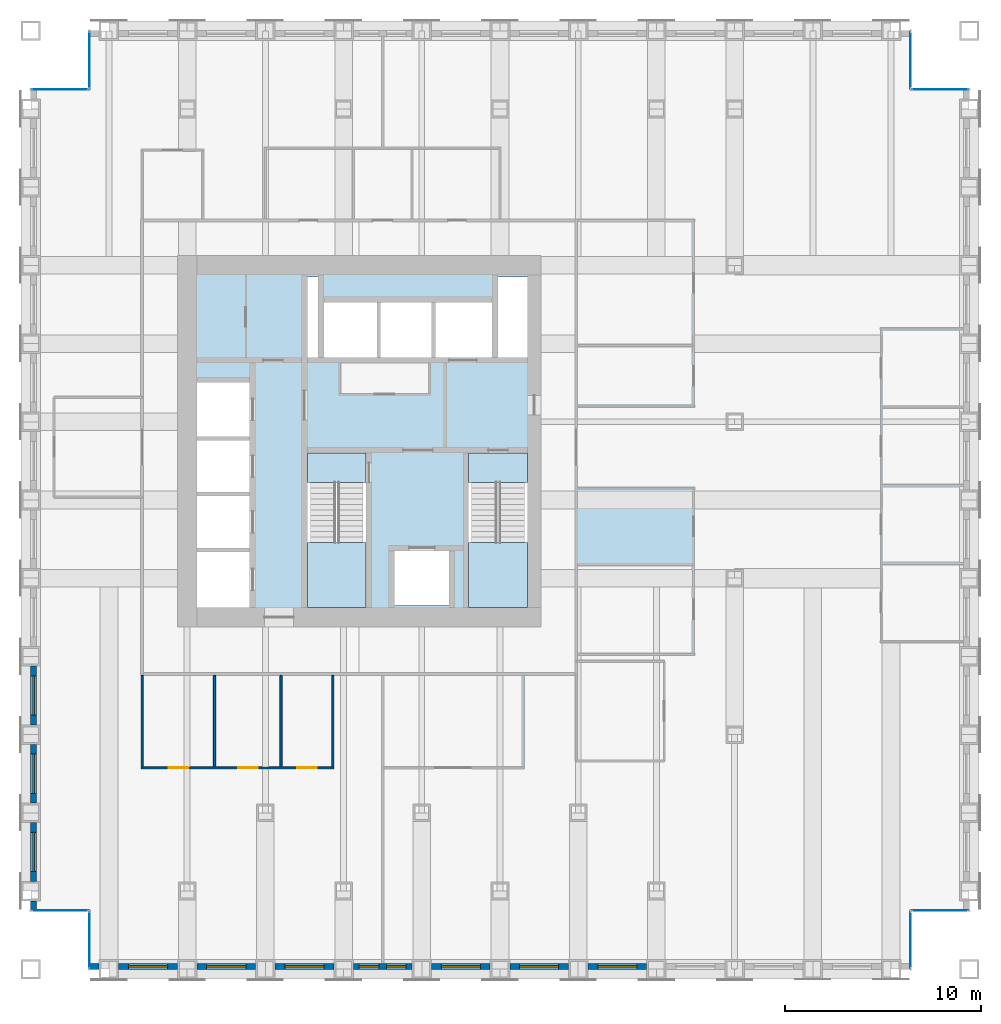
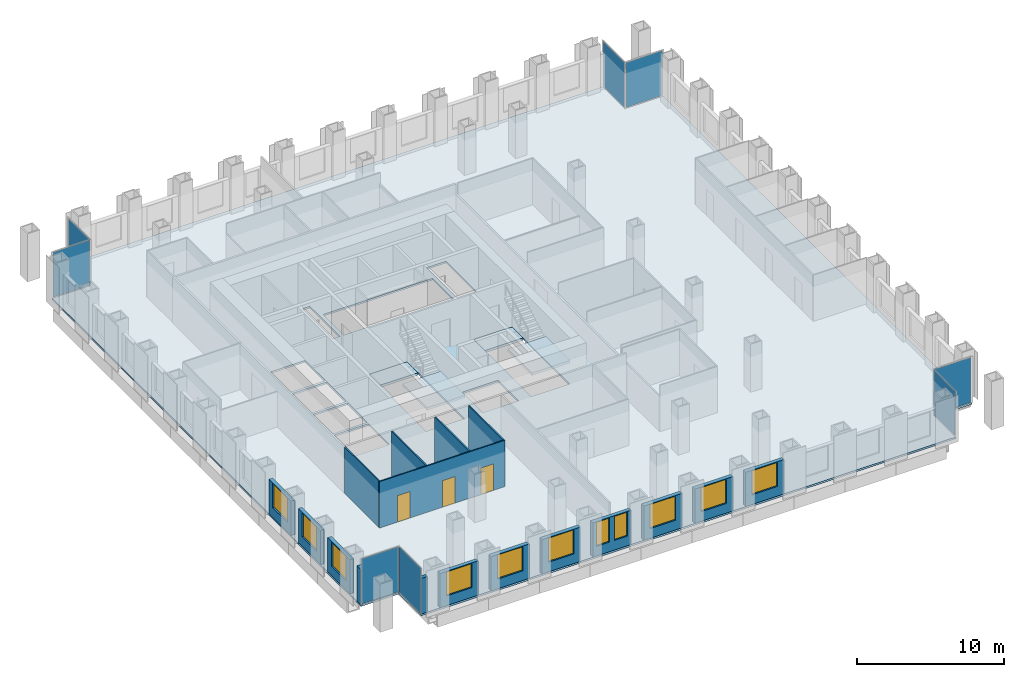
# One storey, part 10 of 16: 17 walls, 11 windows, 8 plates, 5 slabs, 3 doors, 14 openings, 10 elements without a shape of their own.
"""IFC4 building model written with IfcOpenShell, lengths in metres."""

import ifcopenshell
import ifcopenshell.guid

model = None  # the IFC model being written
_history = None  # IfcOwnerHistory: only IFC2X3 demands one
_inside = {}  # id of a spatial element -> (the spatial element, [elements in it])
_under = {}  # id of a project, library or spatial element -> (it, [spatial elements below it])
_declared = {}  # id of a project -> (the project, [libraries it declares])
_typed = {}  # id of a type object -> (the type object, [elements of that type])
_made_of = {}  # id of a material, layer set ... -> (it, [elements and type objects made of it])


def new_model(schema):
    """Start an empty IFC model of exactly this schema.

    Asked for "IFC4X3", IfcOpenShell would pick the latest addendum, in which some entities
    have other attributes; the version numbers below select the first issue.
    IFC2X3 requires an IfcOwnerHistory on every rooted entity: one is made here for all.
    """
    global model, _history
    if schema == "IFC4X3":
        model = ifcopenshell.file(schema_version=(4, 3, 0, 0))
    else:
        model = ifcopenshell.file(schema=schema)
    _inside.clear()
    _under.clear()
    _declared.clear()
    _typed.clear()
    _made_of.clear()
    _history = None
    if model.schema == "IFC2X3":
        org = make("IfcOrganization", Name="unknown")
        user = make(
            "IfcPersonAndOrganization",
            ThePerson=make("IfcPerson", FamilyName="unknown"),
            TheOrganization=org,
        )
        app = make(
            "IfcApplication",
            ApplicationDeveloper=org,
            Version="unknown",
            ApplicationFullName="unknown",
            ApplicationIdentifier="unknown",
        )
        _history = make(
            "IfcOwnerHistory",
            OwningUser=user,
            OwningApplication=app,
            ChangeAction="ADDED",
            CreationDate=0,
        )
    return model


def make(cls, **values):
    """One entity of the class cls with the attributes given. An attribute that is None is left unset."""
    return model.create_entity(
        cls, **{name: value for name, value in values.items() if value is not None}
    )


def rooted(cls, **values):
    """An entity with a GlobalId (a new one), such as an element, a storey or a relation."""
    return make(cls, GlobalId=ifcopenshell.guid.new(), OwnerHistory=_history, **values)


def si_unit(unit_type, name, prefix=None):
    """IfcSIUnit, for example si_unit("LENGTHUNIT", "METRE", prefix="MILLI")."""
    return make("IfcSIUnit", UnitType=unit_type, Prefix=prefix, Name=name)


def assignment(units):
    """IfcUnitAssignment: the units of a project."""
    return None if units is None else make("IfcUnitAssignment", Units=units)


def point(xyz):
    """IfcCartesianPoint."""
    return None if xyz is None else make("IfcCartesianPoint", Coordinates=xyz)


def direction(xyz):
    """IfcDirection."""
    return None if xyz is None else make("IfcDirection", DirectionRatios=xyz)


def frame(location, z_axis=None, x_axis=None):
    """IfcAxis2Placement3D, a coordinate frame: its origin and axes. An axis left out is left unset."""
    return make(
        "IfcAxis2Placement3D",
        Location=point(location),
        Axis=direction(z_axis),
        RefDirection=direction(x_axis),
    )


def frame_2d(location, x_axis=None):
    """IfcAxis2Placement2D, a coordinate frame in the plane: its origin and x axis."""
    return make(
        "IfcAxis2Placement2D", Location=point(location), RefDirection=direction(x_axis)
    )


def origin():
    """The frame at (0, 0, 0) with its axes left unset."""
    return frame((0.0, 0.0, 0.0))


def origin_2d():
    """The frame at (0, 0) in the plane with its x axis left unset."""
    return frame_2d((0.0, 0.0))


def place(relative_to, where):
    """IfcLocalPlacement: puts the frame where relative to a parent placement (None: the world)."""
    return make(
        "IfcLocalPlacement", PlacementRelTo=relative_to, RelativePlacement=where
    )


def context(
    kind, dimensions, precision=None, world=None, true_north=None, identifier=None
):
    """IfcGeometricRepresentationContext, for example the 3D "Model" context."""
    return make(
        "IfcGeometricRepresentationContext",
        ContextIdentifier=identifier,
        ContextType=kind,
        CoordinateSpaceDimension=dimensions,
        Precision=precision,
        WorldCoordinateSystem=world,
        TrueNorth=true_north,
    )


def subcontext(parent, identifier, kind, view, scale=None):
    """IfcGeometricRepresentationSubContext, for example "Body" below "Model"."""
    return make(
        "IfcGeometricRepresentationSubContext",
        ContextIdentifier=identifier,
        ContextType=kind,
        ParentContext=parent,
        TargetScale=scale,
        TargetView=view,
    )


def project(units=None, contexts=None):
    """IfcProject with its units and contexts."""
    return rooted(
        "IfcProject",
        Name="project",
        RepresentationContexts=contexts,
        UnitsInContext=assignment(units),
    )


def spatial(cls, under=None, at=None, **own):
    """A site, building, storey or space (cls), placed at a placement, below another one or the project."""
    s = rooted(cls, ObjectPlacement=at, **own)
    if under is not None:
        _under.setdefault(under.id(), (under, []))[1].append(s)
    return s


def polyline(points):
    """IfcPolyline through the points."""
    return make("IfcPolyline", Points=[point(p) for p in points])


def profile(cls, at=None, kind="AREA", **sizes):
    """A parametric profile (cls). Its sizes go by their IFC names, for example OverallWidth=200.0."""
    return make(cls, ProfileType=kind, Position=at, **sizes)


def rectangle(**sizes):
    """IfcRectangleProfileDef."""
    return profile("IfcRectangleProfileDef", **sizes)


def outline(outer, holes=None, kind="AREA"):
    """IfcArbitraryClosedProfileDef: a profile drawn as a closed curve; with holes, ...WithVoids."""
    if holes is None:
        return make("IfcArbitraryClosedProfileDef", ProfileType=kind, OuterCurve=outer)
    return make(
        "IfcArbitraryProfileDefWithVoids",
        ProfileType=kind,
        OuterCurve=outer,
        InnerCurves=holes,
    )


def extrude(swept, where, along, depth):
    """IfcExtrudedAreaSolid: the profile swept, set in the frame where, extruded along a direction by depth."""
    return make(
        "IfcExtrudedAreaSolid",
        SweptArea=swept,
        Position=where,
        ExtrudedDirection=direction(along),
        Depth=depth,
    )


def shape(context_of_items, identifier, shape_type, items):
    """IfcShapeRepresentation: the items that make up one representation, for example the "Body"."""
    return make(
        "IfcShapeRepresentation",
        ContextOfItems=context_of_items,
        RepresentationIdentifier=identifier,
        RepresentationType=shape_type,
        Items=items,
    )


def material(Name=None, Category=None):
    """IfcMaterial."""
    return make("IfcMaterial", Name=Name, Category=Category)


def layer(
    of_material, thickness, ventilated=None, Name=None, Category=None, Priority=None
):
    """IfcMaterialLayer: one layer of a wall or slab, of a material (None: an air gap)."""
    return make(
        "IfcMaterialLayer",
        Material=of_material,
        LayerThickness=thickness,
        IsVentilated=ventilated,
        Name=Name,
        Category=Category,
        Priority=Priority,
    )


def layer_set(layers, Name=None):
    """IfcMaterialLayerSet."""
    return make("IfcMaterialLayerSet", MaterialLayers=layers, LayerSetName=Name)


def made_of(thing, what):
    """Note that an element or type object is made of a material, layer set ...; save() writes the relation."""
    if what is not None:
        _made_of.setdefault(what.id(), (what, []))[1].append(thing)
    return thing


def type_object(cls, material=None, **own):
    """A type object (cls), such as IfcWallType, which elements share."""
    return made_of(rooted(cls, **own), material)


def element(
    cls,
    number,
    at=None,
    inside=None,
    cuts=None,
    type_object=None,
    material=None,
    context=None,
    identifier="Body",
    shape_type=None,
    held_by="IfcProductDefinitionShape",
    body=None,
    shapes=None,
    **own,
):
    """One element of the class cls, such as IfcWall. Its Tag is "e" and its number.

    at: its placement. inside: the storey or other place that contains it. cuts: it is an
    opening in that element (IfcRelVoidsElement). A single representation is given by context,
    identifier, shape_type and body (its items); several are given by shapes. held_by: the class
    of the entity that holds the representations. save() writes the other relations.
    """
    e = rooted(cls, Tag="e%d" % number, ObjectPlacement=at, **own)
    if body is not None:
        shapes = [shape(context, identifier, shape_type, body)]
    if shapes is not None:
        e.Representation = make(held_by, Representations=shapes)
    if inside is not None:
        _inside.setdefault(inside.id(), (inside, []))[1].append(e)
    if cuts is not None:
        rooted(
            "IfcRelVoidsElement", RelatingBuildingElement=cuts, RelatedOpeningElement=e
        )
    if type_object is not None:
        _typed.setdefault(type_object.id(), (type_object, []))[1].append(e)
    return made_of(e, material)


def fill(opening, filler):
    """IfcRelFillsElement: the door or window that sits in an opening."""
    return rooted(
        "IfcRelFillsElement",
        RelatingOpeningElement=opening,
        RelatedBuildingElement=filler,
    )


def aggregate(whole, parts):
    """IfcRelAggregates: a whole, such as a stair, and the parts it consists of."""
    return rooted("IfcRelAggregates", RelatingObject=whole, RelatedObjects=parts)


def save(model, path):
    """Write the relations noted so far, then the file.

    IfcRelAggregates (storeys below a building ...), IfcRelContainedInSpatialStructure (elements
    in a storey), IfcRelDefinesByType, IfcRelAssociatesMaterial and IfcRelDeclares: one each for
    every whole, place, type object, material and project.
    """
    for whole, parts in _under.values():
        aggregate(whole, parts)
    for where, things in _inside.values():
        rooted(
            "IfcRelContainedInSpatialStructure",
            RelatedElements=things,
            RelatingStructure=where,
        )
    for kind, things in _typed.values():
        rooted("IfcRelDefinesByType", RelatedObjects=things, RelatingType=kind)
    for what, things in _made_of.values():
        rooted("IfcRelAssociatesMaterial", RelatedObjects=things, RelatingMaterial=what)
    for by, libraries in _declared.values():
        rooted("IfcRelDeclares", RelatingContext=by, RelatedDefinitions=libraries)
    model.write(path)


model = new_model("IFC4")

# Units and contexts
model_context = context("Model", 3, precision=1e-05, world=origin(), true_north=direction((0.0, 1.0)))
body_context = subcontext(model_context, "Body", "Model", "MODEL_VIEW")
ifc_project = project(units=[si_unit("LENGTHUNIT", "METRE"), si_unit("AREAUNIT", "SQUARE_METRE"), si_unit("VOLUMEUNIT", "CUBIC_METRE"), si_unit("PLANEANGLEUNIT", "RADIAN"), si_unit("MASSUNIT", "GRAM", prefix="KILO")], contexts=[model_context])

# Site, building, storey
site_placement = place(None, origin())
site = spatial("IfcSite", under=ifc_project, at=site_placement, CompositionType="ELEMENT")
building_placement = place(site_placement, origin())
building = spatial("IfcBuilding", under=site, at=building_placement, Name="Rimbunsela Tower", CompositionType="ELEMENT")
storey_placement = place(building_placement, frame((0.0, 0.0, 81.39990234375)))
storey = spatial("IfcBuildingStorey", under=building, at=storey_placement, Name="L19", CompositionType="ELEMENT", Elevation=81.39990234375)

# Slab
ifc_material_1 = material(Name="Concrete fc' 35 MPa", Category="concrete")
ifc_layer_1 = layer(ifc_material_1, 0.14990234375)
ifc_layer_set_1 = layer_set([ifc_layer_1], Name="Floor slab 150")
slab_type_1 = type_object("IfcSlabType", Name="Floor slab 150", PredefinedType="FLOOR", material=ifc_layer_set_1)
slab_1_placement = place(storey_placement, frame((0.0, 0.0, -0.14990234375)))
element("IfcSlab", 1, at=slab_1_placement, inside=storey, type_object=slab_type_1, Name="Floor slab L19", PredefinedType="FLOOR", context=body_context, shape_type="SweptSolid", body=[
    extrude(outline(polyline([(13.0, 0.0), (55.0, 0.0), (55.0, 3.0), (58.0, 3.0), (58.0, 45.0), (55.0, 45.0), (55.0, 48.0), (13.0, 48.0), (13.0, 45.0), (10.0, 45.0), (10.0, 3.0), (13.0, 3.0), (13.0, 0.0)]), holes=[polyline([(21.199951171875, 21.35009765625), (18.5, 21.35009765625), (18.5, 18.5), (21.199951171875, 18.5), (21.199951171875, 21.35009765625)]), polyline([(21.199951171875, 21.550048828125), (21.199951171875, 24.199951171875), (18.5, 24.199951171875), (18.5, 21.550048828125), (21.199951171875, 21.550048828125)]), polyline([(21.199951171875, 27.050048828125), (18.5, 27.050048828125), (18.5, 24.39990234375), (21.199951171875, 24.39990234375), (21.199951171875, 27.050048828125)]), polyline([(21.199951171875, 27.25), (21.199951171875, 30.0), (18.5, 30.0), (18.5, 27.25), (21.199951171875, 27.25)]), polyline([(27.14990234375, 18.60009765625), (27.14990234375, 26.39990234375), (24.14990234375, 26.39990234375), (24.14990234375, 18.60009765625), (27.14990234375, 18.60009765625)]), polyline([(24.699951171875, 31.300048828125), (24.699951171875, 35.39990234375), (24.14990234375, 35.39990234375), (24.14990234375, 31.300048828125), (24.699951171875, 31.300048828125)]), polyline([(25.0, 34.10009765625), (25.0, 31.300048828125), (33.60009765625, 31.300048828125), (33.60009765625, 34.10009765625), (25.0, 34.10009765625)]), polyline([(31.39990234375, 21.39990234375), (28.60009765625, 21.39990234375), (28.60009765625, 18.60009765625), (31.39990234375, 18.60009765625), (31.39990234375, 21.39990234375)]), polyline([(35.39990234375, 18.60009765625), (35.39990234375, 26.39990234375), (32.39990234375, 26.39990234375), (32.39990234375, 18.60009765625), (35.39990234375, 18.60009765625)]), polyline([(35.39990234375, 31.300048828125), (35.39990234375, 35.39990234375), (33.89990234375, 35.39990234375), (33.89990234375, 31.300048828125), (35.39990234375, 31.300048828125)])]), origin(), (0.0, 0.0, 1.0), 0.14990234375),
])

# Curtain wall, plate
ifc_material_2 = material(Name="Aluminium curtain wall", Category="aluminium")
curtain_wall_type = type_object("IfcCurtainWallType", Name="Corner glazing", PredefinedType="USERDEFINED", material=ifc_material_2)
curtain_wall_1_placement = place(storey_placement, origin())
curtain_wall_1 = element("IfcCurtainWall", 2, at=curtain_wall_1_placement, inside=storey, type_object=curtain_wall_type, Name="Corner glazing L19", ObjectType="CORNER GLAZING", PredefinedType="USERDEFINED")
ifc_material_3 = material(Name="Clear double glazing", Category="glass")
ifc_layer_2 = layer(ifc_material_3, 0.028076171875)
ifc_layer_set_2 = layer_set([ifc_layer_2], Name="Glazed panel clear")
plate_type = type_object("IfcPlateType", Name="Glazed panel clear", PredefinedType="CURTAIN_PANEL", material=ifc_layer_set_2)
plate_1_placement = place(storey_placement, frame((55.0, 1.5, 0.06005859375), z_axis=(0.0, 0.0, 1.0), x_axis=(0.0, 1.0, 0.0)))
plate_1 = element("IfcPlate", 3, at=plate_1_placement, type_object=plate_type, Name="CW5 panel 1.1", PredefinedType="CURTAIN_PANEL", context=body_context, shape_type="SweptSolid", body=[
    extrude(rectangle(XDim=2.8798828125, YDim=0.028076171875, at=origin_2d()), origin(), (0.0, 0.0, 1.0), 3.72998046875),
])
aggregate(curtain_wall_1, [plate_1])

curtain_wall_2_placement = place(storey_placement, origin())
curtain_wall_2 = element("IfcCurtainWall", 4, at=curtain_wall_2_placement, inside=storey, type_object=curtain_wall_type, Name="Corner glazing L19", ObjectType="CORNER GLAZING", PredefinedType="USERDEFINED")
plate_2_placement = place(storey_placement, frame((56.5, 3.0, 0.06005859375), z_axis=(0.0, 0.0, 1.0), x_axis=(1.0, 0.0, 0.0)))
plate_2 = element("IfcPlate", 5, at=plate_2_placement, type_object=plate_type, Name="CW5 panel 1.1", PredefinedType="CURTAIN_PANEL", context=body_context, shape_type="SweptSolid", body=[
    extrude(rectangle(XDim=2.8798828125, YDim=0.028076171875, at=origin_2d()), origin(), (0.0, 0.0, 1.0), 3.72998046875),
])
aggregate(curtain_wall_2, [plate_2])

curtain_wall_3_placement = place(storey_placement, origin())
curtain_wall_3 = element("IfcCurtainWall", 6, at=curtain_wall_3_placement, inside=storey, type_object=curtain_wall_type, Name="Corner glazing L19", ObjectType="CORNER GLAZING", PredefinedType="USERDEFINED")
plate_3_placement = place(storey_placement, frame((56.5, 45.0, 0.06005859375), z_axis=(0.0, 0.0, 1.0), x_axis=(-1.0, 0.0, 0.0)))
plate_3 = element("IfcPlate", 7, at=plate_3_placement, type_object=plate_type, Name="CW5 panel 1.1", PredefinedType="CURTAIN_PANEL", context=body_context, shape_type="SweptSolid", body=[
    extrude(rectangle(XDim=2.8798828125, YDim=0.028076171875, at=origin_2d()), origin(), (0.0, 0.0, 1.0), 3.72998046875),
])
aggregate(curtain_wall_3, [plate_3])

curtain_wall_4_placement = place(storey_placement, origin())
curtain_wall_4 = element("IfcCurtainWall", 8, at=curtain_wall_4_placement, inside=storey, type_object=curtain_wall_type, Name="Corner glazing L19", ObjectType="CORNER GLAZING", PredefinedType="USERDEFINED")
plate_4_placement = place(storey_placement, frame((55.0, 46.5, 0.06005859375), z_axis=(0.0, 0.0, 1.0), x_axis=(0.0, 1.0, 0.0)))
plate_4 = element("IfcPlate", 9, at=plate_4_placement, type_object=plate_type, Name="CW5 panel 1.1", PredefinedType="CURTAIN_PANEL", context=body_context, shape_type="SweptSolid", body=[
    extrude(rectangle(XDim=2.8798828125, YDim=0.028076171875, at=origin_2d()), origin(), (0.0, 0.0, 1.0), 3.72998046875),
])
aggregate(curtain_wall_4, [plate_4])

curtain_wall_5_placement = place(storey_placement, origin())
curtain_wall_5 = element("IfcCurtainWall", 10, at=curtain_wall_5_placement, inside=storey, type_object=curtain_wall_type, Name="Corner glazing L19", ObjectType="CORNER GLAZING", PredefinedType="USERDEFINED")
plate_5_placement = place(storey_placement, frame((13.0, 46.5, 0.06005859375), z_axis=(0.0, 0.0, 1.0), x_axis=(0.0, -1.0, 0.0)))
plate_5 = element("IfcPlate", 11, at=plate_5_placement, type_object=plate_type, Name="CW5 panel 1.1", PredefinedType="CURTAIN_PANEL", context=body_context, shape_type="SweptSolid", body=[
    extrude(rectangle(XDim=2.8798828125, YDim=0.028076171875, at=origin_2d()), origin(), (0.0, 0.0, 1.0), 3.72998046875),
])
aggregate(curtain_wall_5, [plate_5])

curtain_wall_6_placement = place(storey_placement, origin())
curtain_wall_6 = element("IfcCurtainWall", 12, at=curtain_wall_6_placement, inside=storey, type_object=curtain_wall_type, Name="Corner glazing L19", ObjectType="CORNER GLAZING", PredefinedType="USERDEFINED")
plate_6_placement = place(storey_placement, frame((11.5, 45.0, 0.06005859375), z_axis=(0.0, 0.0, 1.0), x_axis=(-1.0, 0.0, 0.0)))
plate_6 = element("IfcPlate", 13, at=plate_6_placement, type_object=plate_type, Name="CW5 panel 1.1", PredefinedType="CURTAIN_PANEL", context=body_context, shape_type="SweptSolid", body=[
    extrude(rectangle(XDim=2.8798828125, YDim=0.028076171875, at=origin_2d()), origin(), (0.0, 0.0, 1.0), 3.72998046875),
])
aggregate(curtain_wall_6, [plate_6])

curtain_wall_7_placement = place(storey_placement, origin())
curtain_wall_7 = element("IfcCurtainWall", 14, at=curtain_wall_7_placement, inside=storey, type_object=curtain_wall_type, Name="Corner glazing L19", ObjectType="CORNER GLAZING", PredefinedType="USERDEFINED")
plate_7_placement = place(storey_placement, frame((11.5, 3.0, 0.06005859375), z_axis=(0.0, 0.0, 1.0), x_axis=(1.0, 0.0, 0.0)))
plate_7 = element("IfcPlate", 15, at=plate_7_placement, type_object=plate_type, Name="CW5 panel 1.1", PredefinedType="CURTAIN_PANEL", context=body_context, shape_type="SweptSolid", body=[
    extrude(rectangle(XDim=2.8798828125, YDim=0.028076171875, at=origin_2d()), origin(), (0.0, 0.0, 1.0), 3.72998046875),
])
aggregate(curtain_wall_7, [plate_7])

curtain_wall_8_placement = place(storey_placement, origin())
curtain_wall_8 = element("IfcCurtainWall", 16, at=curtain_wall_8_placement, inside=storey, type_object=curtain_wall_type, Name="Corner glazing L19", ObjectType="CORNER GLAZING", PredefinedType="USERDEFINED")
plate_8_placement = place(storey_placement, frame((13.0, 1.5, 0.06005859375), z_axis=(0.0, 0.0, 1.0), x_axis=(0.0, -1.0, 0.0)))
plate_8 = element("IfcPlate", 17, at=plate_8_placement, type_object=plate_type, Name="CW5 panel 1.1", PredefinedType="CURTAIN_PANEL", context=body_context, shape_type="SweptSolid", body=[
    extrude(rectangle(XDim=2.8798828125, YDim=0.028076171875, at=origin_2d()), origin(), (0.0, 0.0, 1.0), 3.72998046875),
])
aggregate(curtain_wall_8, [plate_8])

# Stair, slabs
ifc_material_4 = material(Name="Concrete fc' 35 MPa", Category="concrete")
stair_type = type_object("IfcStairType", Name="Exit stair 24 risers", PredefinedType="HALF_TURN_STAIR", material=ifc_material_4)
stair_1_placement = place(storey_placement, origin())
stair_1 = element("IfcStair", 18, at=stair_1_placement, inside=storey, type_object=stair_type, Name="Exit stair A L19", PredefinedType="HALF_TURN_STAIR")
ifc_material_5 = material(Name="Concrete fc' 35 MPa", Category="concrete")
ifc_layer_3 = layer(ifc_material_5, 0.199951171875)
ifc_layer_set_3 = layer_set([ifc_layer_3], Name="Stair landing 200")
slab_type_2 = type_object("IfcSlabType", Name="Stair landing 200", PredefinedType="LANDING", material=ifc_layer_set_3)
slab_2_placement = place(storey_placement, frame((0.0, 0.0, -0.199951171875)))
slab_2 = element("IfcSlab", 19, at=slab_2_placement, type_object=slab_type_2, Name="ST-A landing 1", PredefinedType="LANDING", context=body_context, shape_type="SweptSolid", body=[
    extrude(outline(polyline([(24.14990234375, 24.89990234375), (27.14990234375, 24.89990234375), (27.14990234375, 26.39990234375), (24.14990234375, 26.39990234375), (24.14990234375, 24.89990234375)])), origin(), (0.0, 0.0, 1.0), 0.199951171875),
])
slab_3_placement = place(storey_placement, frame((0.0, 0.0, 1.800048828125)))
slab_3 = element("IfcSlab", 20, at=slab_3_placement, type_object=slab_type_2, Name="ST-A landing 2", PredefinedType="LANDING", context=body_context, shape_type="SweptSolid", body=[
    extrude(outline(polyline([(24.14990234375, 18.5), (27.14990234375, 18.5), (27.14990234375, 21.820068359375), (24.14990234375, 21.820068359375), (24.14990234375, 18.5)])), origin(), (0.0, 0.0, 1.0), 0.199951171875),
])
aggregate(stair_1, [slab_2, slab_3])

stair_2_placement = place(storey_placement, origin())
stair_2 = element("IfcStair", 21, at=stair_2_placement, inside=storey, type_object=stair_type, Name="Exit stair B L19", PredefinedType="HALF_TURN_STAIR")
slab_4_placement = place(storey_placement, frame((0.0, 0.0, -0.199951171875)))
slab_4 = element("IfcSlab", 22, at=slab_4_placement, type_object=slab_type_2, Name="ST-B landing 1", PredefinedType="LANDING", context=body_context, shape_type="SweptSolid", body=[
    extrude(outline(polyline([(32.39990234375, 24.89990234375), (35.39990234375, 24.89990234375), (35.39990234375, 26.39990234375), (32.39990234375, 26.39990234375), (32.39990234375, 24.89990234375)])), origin(), (0.0, 0.0, 1.0), 0.199951171875),
])
slab_5_placement = place(storey_placement, frame((0.0, 0.0, 1.800048828125)))
slab_5 = element("IfcSlab", 23, at=slab_5_placement, type_object=slab_type_2, Name="ST-B landing 2", PredefinedType="LANDING", context=body_context, shape_type="SweptSolid", body=[
    extrude(outline(polyline([(32.39990234375, 18.5), (35.39990234375, 18.5), (35.39990234375, 21.820068359375), (32.39990234375, 21.820068359375), (32.39990234375, 18.5)])), origin(), (0.0, 0.0, 1.0), 0.199951171875),
])
aggregate(stair_2, [slab_4, slab_5])

# Wall, openings, doors
ifc_material_6 = material(Name="Gypsum board on steel studs", Category="steel")
ifc_layer_4 = layer(ifc_material_6, 0.10009765625)
ifc_layer_set_4 = layer_set([ifc_layer_4], Name="Office partition 100")
wall_type_1 = type_object("IfcWallType", Name="Office partition 100", PredefinedType="PARTITIONING", material=ifc_layer_set_4)
wall_1_placement = place(storey_placement, frame((15.64990234375, 10.300048828125, 0.0), z_axis=(0.0, 0.0, 1.0), x_axis=(1.0, 0.0, 0.0)))
wall_1 = element("IfcWall", 24, at=wall_1_placement, inside=storey, type_object=wall_type_1, Name="Office partition", PredefinedType="PARTITIONING", context=body_context, shape_type="SweptSolid", body=[
    extrude(rectangle(XDim=9.85009765625, YDim=0.10009765625, at=frame_2d((4.925048828125, 0.0))), origin(), (0.0, 0.0, 1.0), 3.85009765625),
])
opening_1_placement = place(wall_1_placement, frame((1.39990234375, 0.0, 0.0)))
opening_1 = element("IfcOpeningElement", 25, at=opening_1_placement, cuts=wall_1, Name="Opening D17", PredefinedType="OPENING", context=body_context, shape_type="SweptSolid", body=[
    extrude(rectangle(XDim=1.0, YDim=2.199951171875, at=frame_2d((0.5, 1.10009765625))), frame((0.0, 0.06005859375, 0.0), z_axis=(0.0, -1.0, 0.0), x_axis=(1.0, 0.0, 0.0)), (0.0, 0.0, 1.0), 0.1201171875),
])
opening_2_placement = place(wall_1_placement, frame((4.949951171875, 0.0, 0.0)))
opening_2 = element("IfcOpeningElement", 26, at=opening_2_placement, cuts=wall_1, Name="Opening D16", PredefinedType="OPENING", context=body_context, shape_type="SweptSolid", body=[
    extrude(rectangle(XDim=1.0, YDim=2.199951171875, at=frame_2d((0.5, 1.10009765625))), frame((0.0, 0.06005859375, 0.0), z_axis=(0.0, -1.0, 0.0), x_axis=(1.0, 0.0, 0.0)), (0.0, 0.0, 1.0), 0.1201171875),
])
opening_3_placement = place(wall_1_placement, frame((7.97509765625, 0.0, 0.0)))
opening_3 = element("IfcOpeningElement", 27, at=opening_3_placement, cuts=wall_1, Name="Opening D16", PredefinedType="OPENING", context=body_context, shape_type="SweptSolid", body=[
    extrude(rectangle(XDim=1.0, YDim=2.199951171875, at=frame_2d((0.5, 1.10009765625))), frame((0.0, 0.06005859375, 0.0), z_axis=(0.0, -1.0, 0.0), x_axis=(1.0, 0.0, 0.0)), (0.0, 0.0, 1.0), 0.1201171875),
])
ifc_material_7 = material(Name="Glazed aluminium door", Category="aluminium")
door_type_1 = type_object("IfcDoorType", Name="Meeting room door 1000 glazed", OperationType="SINGLE_SWING_RIGHT", PredefinedType="DOOR", material=ifc_material_7)
door_1_placement = place(opening_1_placement, origin())
door_1 = element("IfcDoor", 28, at=door_1_placement, inside=storey, type_object=door_type_1, Name="Meeting room door", OperationType="SINGLE_SWING_RIGHT", OverallHeight=2.199951171875, OverallWidth=1.0, PredefinedType="DOOR", context=body_context, shape_type="SweptSolid", body=[
    extrude(rectangle(XDim=1.0, YDim=2.199951171875, at=frame_2d((0.5, 1.10009765625))), frame((0.0, 0.02490234375, 0.0), z_axis=(0.0, -1.0, 0.0), x_axis=(1.0, 0.0, 0.0)), (0.0, 0.0, 1.0), 0.050048828125),
])
fill(opening_1, door_1)
ifc_material_8 = material(Name="Timber door", Category="wood")
door_type_2 = type_object("IfcDoorType", Name="Office door 1000", OperationType="SINGLE_SWING_LEFT", PredefinedType="DOOR", material=ifc_material_8)
door_2_placement = place(opening_2_placement, origin())
door_2 = element("IfcDoor", 29, at=door_2_placement, inside=storey, type_object=door_type_2, Name="Office door", OperationType="SINGLE_SWING_LEFT", OverallHeight=2.199951171875, OverallWidth=1.0, PredefinedType="DOOR", context=body_context, shape_type="SweptSolid", body=[
    extrude(rectangle(XDim=1.0, YDim=2.199951171875, at=frame_2d((0.5, 1.10009765625))), frame((0.0, 0.02490234375, 0.0), z_axis=(0.0, -1.0, 0.0), x_axis=(1.0, 0.0, 0.0)), (0.0, 0.0, 1.0), 0.050048828125),
])
fill(opening_2, door_2)
door_3_placement = place(opening_3_placement, origin())
door_3 = element("IfcDoor", 30, at=door_3_placement, inside=storey, type_object=door_type_2, Name="Office door", OperationType="SINGLE_SWING_LEFT", OverallHeight=2.199951171875, OverallWidth=1.0, PredefinedType="DOOR", context=body_context, shape_type="SweptSolid", body=[
    extrude(rectangle(XDim=1.0, YDim=2.199951171875, at=frame_2d((0.5, 1.10009765625))), frame((0.0, 0.02490234375, 0.0), z_axis=(0.0, -1.0, 0.0), x_axis=(1.0, 0.0, 0.0)), (0.0, 0.0, 1.0), 0.050048828125),
])
fill(opening_3, door_3)

# Walls
for number, where, z_axis, x_axis, name in (
    (31, (15.699951171875, 10.35009765625, 0.0), (0.0, 0.0, 1.0), (0.0, 1.0, 0.0), "Office partition"),
    (32, (19.39990234375, 10.35009765625, 0.0), (0.0, 0.0, 1.0), (0.0, 1.0, 0.0), "Office partition"),
    (33, (22.800048828125, 10.35009765625, 0.0), (0.0, 0.0, 1.0), (0.0, 1.0, 0.0), "Office partition"),
    (34, (25.449951171875, 10.35009765625, 0.0), (0.0, 0.0, 1.0), (0.0, 1.0, 0.0), "Office partition"),
):
    element("IfcWall", number, at=place(storey_placement, frame(where, z_axis=z_axis, x_axis=x_axis)), inside=storey, type_object=wall_type_1, Name=name, PredefinedType="PARTITIONING", context=body_context, shape_type="SweptSolid", body=[
        extrude(rectangle(XDim=4.6748046875, YDim=0.10009765625, at=frame_2d((2.33740234375, 0.0))), origin(), (0.0, 0.0, 1.0), 3.85009765625),
    ])
ifc_material_9 = material(Name="Precast concrete fc' 35 MPa", Category="concrete")
ifc_layer_5 = layer(ifc_material_9, 0.300048828125)
ifc_layer_set_5 = layer_set([ifc_layer_5], Name="Precast concrete fc' 35 MPa")
wall_type_2 = type_object("IfcWallType", Name="Precast facade panel 300", PredefinedType="ELEMENTEDWALL", material=ifc_layer_set_5)
wall_2_placement = place(storey_placement, frame((13.030029296875, 0.14990234375, 0.0), z_axis=(0.0, 0.0, 1.0), x_axis=(1.0, 0.0, 0.0)))
element("IfcWall", 35, at=wall_2_placement, inside=storey, type_object=wall_type_2, Name="Facade panel S L19", PredefinedType="ELEMENTEDWALL", context=body_context, shape_type="SweptSolid", body=[
    extrude(rectangle(XDim=0.469970703125, YDim=0.300048828125, at=frame_2d((0.23486328125, 0.0))), origin(), (0.0, 0.0, 1.0), 2.9501953125),
])

# Wall, opening, window
wall_3_placement = place(storey_placement, frame((14.5, 0.14990234375, 0.0), z_axis=(0.0, 0.0, 1.0), x_axis=(1.0, 0.0, 0.0)))
wall_3 = element("IfcWall", 36, at=wall_3_placement, inside=storey, type_object=wall_type_2, Name="Facade panel S L19", PredefinedType="ELEMENTEDWALL", context=body_context, shape_type="SweptSolid", body=[
    extrude(rectangle(XDim=3.0, YDim=0.300048828125, at=frame_2d((1.5, 0.0))), origin(), (0.0, 0.0, 1.0), 2.85009765625),
])
opening_4_placement = place(wall_3_placement, frame((0.5, 0.0, 0.800048828125)))
opening_4 = element("IfcOpeningElement", 37, at=opening_4_placement, cuts=wall_3, Name="Opening W1", PredefinedType="OPENING", context=body_context, shape_type="SweptSolid", body=[
    extrude(rectangle(XDim=2.0, YDim=2.0, at=frame_2d((1.0, 1.0))), frame((0.0, 0.159912109375, 0.0), z_axis=(0.0, -1.0, 0.0), x_axis=(1.0, 0.0, 0.0)), (0.0, 0.0, 1.0), 0.320068359375),
])
ifc_material_10 = material(Name="Clear glass in aluminium frame", Category="aluminium")
window_type_1 = type_object("IfcWindowType", Name="Window W1 2000x2000", PartitioningType="DOUBLE_PANEL_VERTICAL", PredefinedType="WINDOW", material=ifc_material_10)
window_1_placement = place(opening_4_placement, origin())
window_1 = element("IfcWindow", 38, at=window_1_placement, inside=storey, type_object=window_type_1, Name="Window L19", OverallHeight=2.0, OverallWidth=2.0, PartitioningType="SINGLE_PANEL", PredefinedType="WINDOW", context=body_context, shape_type="SweptSolid", body=[
    extrude(rectangle(XDim=2.0, YDim=2.0, at=frame_2d((1.0, 1.0))), frame((0.0, 0.030029296875, 0.0), z_axis=(0.0, -1.0, 0.0), x_axis=(1.0, 0.0, 0.0)), (0.0, 0.0, 1.0), 0.06005859375),
])
fill(opening_4, window_1)

wall_4_placement = place(storey_placement, frame((18.5, 0.14990234375, 0.0), z_axis=(0.0, 0.0, 1.0), x_axis=(1.0, 0.0, 0.0)))
wall_4 = element("IfcWall", 39, at=wall_4_placement, inside=storey, type_object=wall_type_2, Name="Facade panel S L19", PredefinedType="ELEMENTEDWALL", context=body_context, shape_type="SweptSolid", body=[
    extrude(rectangle(XDim=3.0, YDim=0.300048828125, at=frame_2d((1.5, 0.0))), origin(), (0.0, 0.0, 1.0), 2.85009765625),
])
opening_5_placement = place(wall_4_placement, frame((0.5, 0.0, 0.800048828125)))
opening_5 = element("IfcOpeningElement", 40, at=opening_5_placement, cuts=wall_4, Name="Opening W1", PredefinedType="OPENING", context=body_context, shape_type="SweptSolid", body=[
    extrude(rectangle(XDim=2.0, YDim=2.0, at=frame_2d((1.0, 1.0))), frame((0.0, 0.159912109375, 0.0), z_axis=(0.0, -1.0, 0.0), x_axis=(1.0, 0.0, 0.0)), (0.0, 0.0, 1.0), 0.320068359375),
])
window_2_placement = place(opening_5_placement, origin())
window_2 = element("IfcWindow", 41, at=window_2_placement, inside=storey, type_object=window_type_1, Name="Window L19", OverallHeight=2.0, OverallWidth=2.0, PartitioningType="SINGLE_PANEL", PredefinedType="WINDOW", context=body_context, shape_type="SweptSolid", body=[
    extrude(rectangle(XDim=2.0, YDim=2.0, at=frame_2d((1.0, 1.0))), frame((0.0, 0.030029296875, 0.0), z_axis=(0.0, -1.0, 0.0), x_axis=(1.0, 0.0, 0.0)), (0.0, 0.0, 1.0), 0.06005859375),
])
fill(opening_5, window_2)

wall_5_placement = place(storey_placement, frame((22.5, 0.14990234375, 0.0), z_axis=(0.0, 0.0, 1.0), x_axis=(1.0, 0.0, 0.0)))
wall_5 = element("IfcWall", 42, at=wall_5_placement, inside=storey, type_object=wall_type_2, Name="Facade panel S L19", PredefinedType="ELEMENTEDWALL", context=body_context, shape_type="SweptSolid", body=[
    extrude(rectangle(XDim=3.0, YDim=0.300048828125, at=frame_2d((1.5, 0.0))), origin(), (0.0, 0.0, 1.0), 2.85009765625),
])
opening_6_placement = place(wall_5_placement, frame((0.5, 0.0, 0.800048828125)))
opening_6 = element("IfcOpeningElement", 43, at=opening_6_placement, cuts=wall_5, Name="Opening W1", PredefinedType="OPENING", context=body_context, shape_type="SweptSolid", body=[
    extrude(rectangle(XDim=2.0, YDim=2.0, at=frame_2d((1.0, 1.0))), frame((0.0, 0.159912109375, 0.0), z_axis=(0.0, -1.0, 0.0), x_axis=(1.0, 0.0, 0.0)), (0.0, 0.0, 1.0), 0.320068359375),
])
window_3_placement = place(opening_6_placement, origin())
window_3 = element("IfcWindow", 44, at=window_3_placement, inside=storey, type_object=window_type_1, Name="Window L19", OverallHeight=2.0, OverallWidth=2.0, PartitioningType="SINGLE_PANEL", PredefinedType="WINDOW", context=body_context, shape_type="SweptSolid", body=[
    extrude(rectangle(XDim=2.0, YDim=2.0, at=frame_2d((1.0, 1.0))), frame((0.0, 0.030029296875, 0.0), z_axis=(0.0, -1.0, 0.0), x_axis=(1.0, 0.0, 0.0)), (0.0, 0.0, 1.0), 0.06005859375),
])
fill(opening_6, window_3)

# Wall, openings, windows
wall_6_placement = place(storey_placement, frame((26.5, 0.14990234375, 0.0), z_axis=(0.0, 0.0, 1.0), x_axis=(1.0, 0.0, 0.0)))
wall_6 = element("IfcWall", 45, at=wall_6_placement, inside=storey, type_object=wall_type_2, Name="Facade panel S L19", PredefinedType="ELEMENTEDWALL", context=body_context, shape_type="SweptSolid", body=[
    extrude(rectangle(XDim=3.0, YDim=0.300048828125, at=frame_2d((1.5, 0.0))), origin(), (0.0, 0.0, 1.0), 2.85009765625),
])
opening_7_placement = place(wall_6_placement, frame((0.300048828125, 0.0, 0.800048828125)))
opening_7 = element("IfcOpeningElement", 46, at=opening_7_placement, cuts=wall_6, Name="Opening W5", PredefinedType="OPENING", context=body_context, shape_type="SweptSolid", body=[
    extrude(rectangle(XDim=1.0, YDim=2.0, at=frame_2d((0.5, 1.0))), frame((0.0, 0.159912109375, 0.0), z_axis=(0.0, -1.0, 0.0), x_axis=(1.0, 0.0, 0.0)), (0.0, 0.0, 1.0), 0.320068359375),
])
opening_8_placement = place(wall_6_placement, frame((1.699951171875, 0.0, 0.800048828125)))
opening_8 = element("IfcOpeningElement", 47, at=opening_8_placement, cuts=wall_6, Name="Opening W5", PredefinedType="OPENING", context=body_context, shape_type="SweptSolid", body=[
    extrude(rectangle(XDim=1.0, YDim=2.0, at=frame_2d((0.5, 1.0))), frame((0.0, 0.159912109375, 0.0), z_axis=(0.0, -1.0, 0.0), x_axis=(1.0, 0.0, 0.0)), (0.0, 0.0, 1.0), 0.320068359375),
])
ifc_material_11 = material(Name="Clear glass in aluminium frame", Category="aluminium")
window_type_2 = type_object("IfcWindowType", Name="Window W5 1000x2000", PartitioningType="SINGLE_PANEL", PredefinedType="WINDOW", material=ifc_material_11)
window_4_placement = place(opening_7_placement, origin())
window_4 = element("IfcWindow", 48, at=window_4_placement, inside=storey, type_object=window_type_2, Name="Window L19", OverallHeight=2.0, OverallWidth=1.0, PartitioningType="SINGLE_PANEL", PredefinedType="WINDOW", context=body_context, shape_type="SweptSolid", body=[
    extrude(rectangle(XDim=1.0, YDim=2.0, at=frame_2d((0.5, 1.0))), frame((0.0, 0.030029296875, 0.0), z_axis=(0.0, -1.0, 0.0), x_axis=(1.0, 0.0, 0.0)), (0.0, 0.0, 1.0), 0.06005859375),
])
fill(opening_7, window_4)
window_5_placement = place(opening_8_placement, origin())
window_5 = element("IfcWindow", 49, at=window_5_placement, inside=storey, type_object=window_type_2, Name="Window L19", OverallHeight=2.0, OverallWidth=1.0, PartitioningType="SINGLE_PANEL", PredefinedType="WINDOW", context=body_context, shape_type="SweptSolid", body=[
    extrude(rectangle(XDim=1.0, YDim=2.0, at=frame_2d((0.5, 1.0))), frame((0.0, 0.030029296875, 0.0), z_axis=(0.0, -1.0, 0.0), x_axis=(1.0, 0.0, 0.0)), (0.0, 0.0, 1.0), 0.06005859375),
])
fill(opening_8, window_5)

# Wall, opening, window
wall_7_placement = place(storey_placement, frame((30.5, 0.14990234375, 0.0), z_axis=(0.0, 0.0, 1.0), x_axis=(1.0, 0.0, 0.0)))
wall_7 = element("IfcWall", 50, at=wall_7_placement, inside=storey, type_object=wall_type_2, Name="Facade panel S L19", PredefinedType="ELEMENTEDWALL", context=body_context, shape_type="SweptSolid", body=[
    extrude(rectangle(XDim=3.0, YDim=0.300048828125, at=frame_2d((1.5, 0.0))), origin(), (0.0, 0.0, 1.0), 2.85009765625),
])
opening_9_placement = place(wall_7_placement, frame((0.5, 0.0, 0.800048828125)))
opening_9 = element("IfcOpeningElement", 51, at=opening_9_placement, cuts=wall_7, Name="Opening W1", PredefinedType="OPENING", context=body_context, shape_type="SweptSolid", body=[
    extrude(rectangle(XDim=2.0, YDim=2.0, at=frame_2d((1.0, 1.0))), frame((0.0, 0.159912109375, 0.0), z_axis=(0.0, -1.0, 0.0), x_axis=(1.0, 0.0, 0.0)), (0.0, 0.0, 1.0), 0.320068359375),
])
window_6_placement = place(opening_9_placement, origin())
window_6 = element("IfcWindow", 52, at=window_6_placement, inside=storey, type_object=window_type_1, Name="Window L19", OverallHeight=2.0, OverallWidth=2.0, PartitioningType="SINGLE_PANEL", PredefinedType="WINDOW", context=body_context, shape_type="SweptSolid", body=[
    extrude(rectangle(XDim=2.0, YDim=2.0, at=frame_2d((1.0, 1.0))), frame((0.0, 0.030029296875, 0.0), z_axis=(0.0, -1.0, 0.0), x_axis=(1.0, 0.0, 0.0)), (0.0, 0.0, 1.0), 0.06005859375),
])
fill(opening_9, window_6)

wall_8_placement = place(storey_placement, frame((34.5, 0.14990234375, 0.0), z_axis=(0.0, 0.0, 1.0), x_axis=(1.0, 0.0, 0.0)))
wall_8 = element("IfcWall", 53, at=wall_8_placement, inside=storey, type_object=wall_type_2, Name="Facade panel S L19", PredefinedType="ELEMENTEDWALL", context=body_context, shape_type="SweptSolid", body=[
    extrude(rectangle(XDim=3.0, YDim=0.300048828125, at=frame_2d((1.5, 0.0))), origin(), (0.0, 0.0, 1.0), 2.85009765625),
])
opening_10_placement = place(wall_8_placement, frame((0.5, 0.0, 0.800048828125)))
opening_10 = element("IfcOpeningElement", 54, at=opening_10_placement, cuts=wall_8, Name="Opening W1", PredefinedType="OPENING", context=body_context, shape_type="SweptSolid", body=[
    extrude(rectangle(XDim=2.0, YDim=2.0, at=frame_2d((1.0, 1.0))), frame((0.0, 0.159912109375, 0.0), z_axis=(0.0, -1.0, 0.0), x_axis=(1.0, 0.0, 0.0)), (0.0, 0.0, 1.0), 0.320068359375),
])
window_7_placement = place(opening_10_placement, origin())
window_7 = element("IfcWindow", 55, at=window_7_placement, inside=storey, type_object=window_type_1, Name="Window L19", OverallHeight=2.0, OverallWidth=2.0, PartitioningType="SINGLE_PANEL", PredefinedType="WINDOW", context=body_context, shape_type="SweptSolid", body=[
    extrude(rectangle(XDim=2.0, YDim=2.0, at=frame_2d((1.0, 1.0))), frame((0.0, 0.030029296875, 0.0), z_axis=(0.0, -1.0, 0.0), x_axis=(1.0, 0.0, 0.0)), (0.0, 0.0, 1.0), 0.06005859375),
])
fill(opening_10, window_7)

wall_9_placement = place(storey_placement, frame((38.5, 0.14990234375, 0.0), z_axis=(0.0, 0.0, 1.0), x_axis=(1.0, 0.0, 0.0)))
wall_9 = element("IfcWall", 56, at=wall_9_placement, inside=storey, type_object=wall_type_2, Name="Facade panel S L19", PredefinedType="ELEMENTEDWALL", context=body_context, shape_type="SweptSolid", body=[
    extrude(rectangle(XDim=3.0, YDim=0.300048828125, at=frame_2d((1.5, 0.0))), origin(), (0.0, 0.0, 1.0), 2.85009765625),
])
opening_11_placement = place(wall_9_placement, frame((0.5, 0.0, 0.800048828125)))
opening_11 = element("IfcOpeningElement", 57, at=opening_11_placement, cuts=wall_9, Name="Opening W1", PredefinedType="OPENING", context=body_context, shape_type="SweptSolid", body=[
    extrude(rectangle(XDim=2.0, YDim=2.0, at=frame_2d((1.0, 1.0))), frame((0.0, 0.159912109375, 0.0), z_axis=(0.0, -1.0, 0.0), x_axis=(1.0, 0.0, 0.0)), (0.0, 0.0, 1.0), 0.320068359375),
])
window_8_placement = place(opening_11_placement, origin())
window_8 = element("IfcWindow", 58, at=window_8_placement, inside=storey, type_object=window_type_1, Name="Window L19", OverallHeight=2.0, OverallWidth=2.0, PartitioningType="SINGLE_PANEL", PredefinedType="WINDOW", context=body_context, shape_type="SweptSolid", body=[
    extrude(rectangle(XDim=2.0, YDim=2.0, at=frame_2d((1.0, 1.0))), frame((0.0, 0.030029296875, 0.0), z_axis=(0.0, -1.0, 0.0), x_axis=(1.0, 0.0, 0.0)), (0.0, 0.0, 1.0), 0.06005859375),
])
fill(opening_11, window_8)

# Wall
wall_10_placement = place(storey_placement, frame((10.14990234375, 3.5, 0.0), z_axis=(0.0, 0.0, 1.0), x_axis=(0.0, -1.0, 0.0)))
element("IfcWall", 59, at=wall_10_placement, inside=storey, type_object=wall_type_2, Name="Facade panel W L19", PredefinedType="ELEMENTEDWALL", context=body_context, shape_type="SweptSolid", body=[
    extrude(rectangle(XDim=0.469970703125, YDim=0.300048828125, at=frame_2d((0.23486328125, 0.0))), origin(), (0.0, 0.0, 1.0), 2.9501953125),
])

# Wall, opening, window
wall_11_placement = place(storey_placement, frame((10.14990234375, 7.5, 0.0), z_axis=(0.0, 0.0, 1.0), x_axis=(0.0, -1.0, 0.0)))
wall_11 = element("IfcWall", 60, at=wall_11_placement, inside=storey, type_object=wall_type_2, Name="Facade panel W L19", PredefinedType="ELEMENTEDWALL", context=body_context, shape_type="SweptSolid", body=[
    extrude(rectangle(XDim=3.0, YDim=0.300048828125, at=frame_2d((1.5, 0.0))), origin(), (0.0, 0.0, 1.0), 2.85009765625),
])
opening_12_placement = place(wall_11_placement, frame((0.5, 0.0, 0.800048828125)))
opening_12 = element("IfcOpeningElement", 61, at=opening_12_placement, cuts=wall_11, Name="Opening W1", PredefinedType="OPENING", context=body_context, shape_type="SweptSolid", body=[
    extrude(rectangle(XDim=2.0, YDim=2.0, at=frame_2d((1.0, 1.0))), frame((0.0, 0.159912109375, 0.0), z_axis=(0.0, -1.0, 0.0), x_axis=(1.0, 0.0, 0.0)), (0.0, 0.0, 1.0), 0.320068359375),
])
window_9_placement = place(opening_12_placement, origin())
window_9 = element("IfcWindow", 62, at=window_9_placement, inside=storey, type_object=window_type_1, Name="Window L19", OverallHeight=2.0, OverallWidth=2.0, PartitioningType="SINGLE_PANEL", PredefinedType="WINDOW", context=body_context, shape_type="SweptSolid", body=[
    extrude(rectangle(XDim=2.0, YDim=2.0, at=frame_2d((1.0, 1.0))), frame((0.0, 0.030029296875, 0.0), z_axis=(0.0, -1.0, 0.0), x_axis=(1.0, 0.0, 0.0)), (0.0, 0.0, 1.0), 0.06005859375),
])
fill(opening_12, window_9)

wall_12_placement = place(storey_placement, frame((10.14990234375, 11.5, 0.0), z_axis=(0.0, 0.0, 1.0), x_axis=(0.0, -1.0, 0.0)))
wall_12 = element("IfcWall", 63, at=wall_12_placement, inside=storey, type_object=wall_type_2, Name="Facade panel W L19", PredefinedType="ELEMENTEDWALL", context=body_context, shape_type="SweptSolid", body=[
    extrude(rectangle(XDim=3.0, YDim=0.300048828125, at=frame_2d((1.5, 0.0))), origin(), (0.0, 0.0, 1.0), 2.85009765625),
])
opening_13_placement = place(wall_12_placement, frame((0.5, 0.0, 0.800048828125)))
opening_13 = element("IfcOpeningElement", 64, at=opening_13_placement, cuts=wall_12, Name="Opening W1", PredefinedType="OPENING", context=body_context, shape_type="SweptSolid", body=[
    extrude(rectangle(XDim=2.0, YDim=2.0, at=frame_2d((1.0, 1.0))), frame((0.0, 0.159912109375, 0.0), z_axis=(0.0, -1.0, 0.0), x_axis=(1.0, 0.0, 0.0)), (0.0, 0.0, 1.0), 0.320068359375),
])
window_10_placement = place(opening_13_placement, origin())
window_10 = element("IfcWindow", 65, at=window_10_placement, inside=storey, type_object=window_type_1, Name="Window L19", OverallHeight=2.0, OverallWidth=2.0, PartitioningType="SINGLE_PANEL", PredefinedType="WINDOW", context=body_context, shape_type="SweptSolid", body=[
    extrude(rectangle(XDim=2.0, YDim=2.0, at=frame_2d((1.0, 1.0))), frame((0.0, 0.030029296875, 0.0), z_axis=(0.0, -1.0, 0.0), x_axis=(1.0, 0.0, 0.0)), (0.0, 0.0, 1.0), 0.06005859375),
])
fill(opening_13, window_10)

wall_13_placement = place(storey_placement, frame((10.14990234375, 15.5, 0.0), z_axis=(0.0, 0.0, 1.0), x_axis=(0.0, -1.0, 0.0)))
wall_13 = element("IfcWall", 66, at=wall_13_placement, inside=storey, type_object=wall_type_2, Name="Facade panel W L19", PredefinedType="ELEMENTEDWALL", context=body_context, shape_type="SweptSolid", body=[
    extrude(rectangle(XDim=3.0, YDim=0.300048828125, at=frame_2d((1.5, 0.0))), origin(), (0.0, 0.0, 1.0), 2.85009765625),
])
opening_14_placement = place(wall_13_placement, frame((0.5, 0.0, 0.800048828125)))
opening_14 = element("IfcOpeningElement", 67, at=opening_14_placement, cuts=wall_13, Name="Opening W1", PredefinedType="OPENING", context=body_context, shape_type="SweptSolid", body=[
    extrude(rectangle(XDim=2.0, YDim=2.0, at=frame_2d((1.0, 1.0))), frame((0.0, 0.159912109375, 0.0), z_axis=(0.0, -1.0, 0.0), x_axis=(1.0, 0.0, 0.0)), (0.0, 0.0, 1.0), 0.320068359375),
])
window_11_placement = place(opening_14_placement, origin())
window_11 = element("IfcWindow", 68, at=window_11_placement, inside=storey, type_object=window_type_1, Name="Window L19", OverallHeight=2.0, OverallWidth=2.0, PartitioningType="SINGLE_PANEL", PredefinedType="WINDOW", context=body_context, shape_type="SweptSolid", body=[
    extrude(rectangle(XDim=2.0, YDim=2.0, at=frame_2d((1.0, 1.0))), frame((0.0, 0.030029296875, 0.0), z_axis=(0.0, -1.0, 0.0), x_axis=(1.0, 0.0, 0.0)), (0.0, 0.0, 1.0), 0.06005859375),
])
fill(opening_14, window_11)

save(model, "model.ifc")
